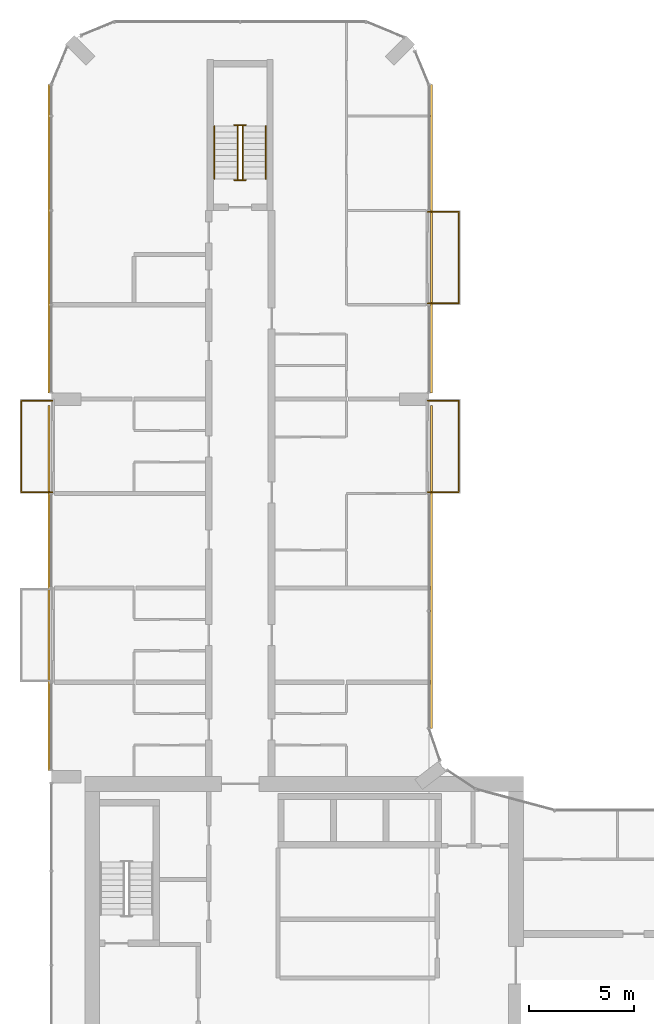
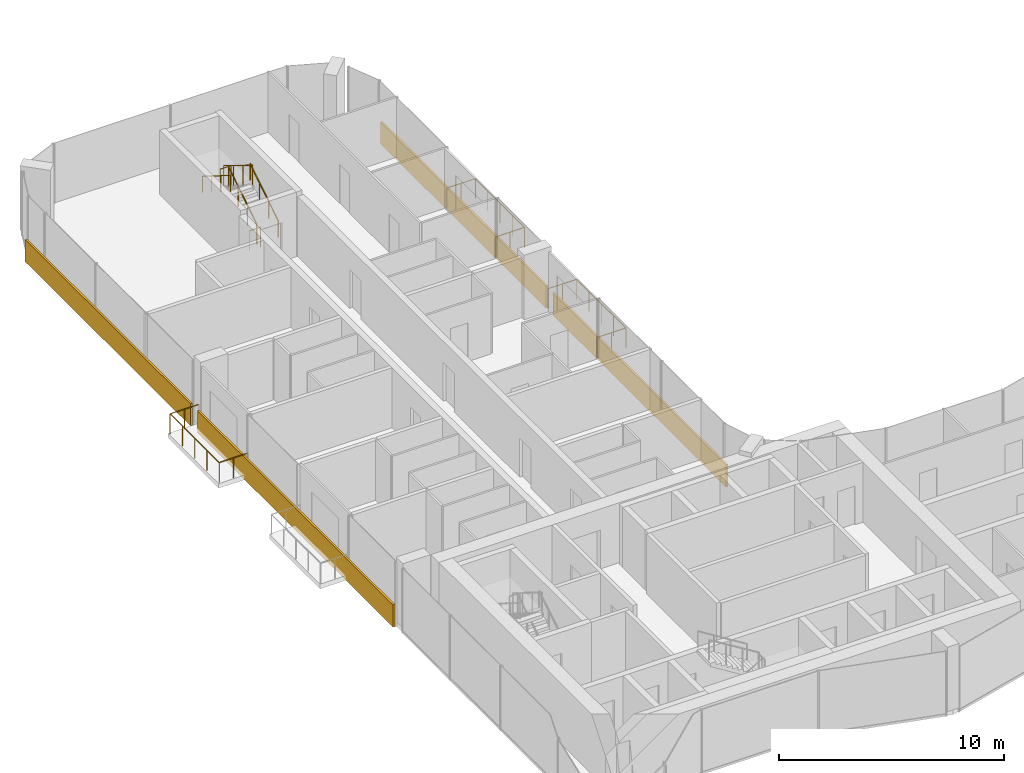
# One storey, part 22 of 23: 9 railings, 4 coverings.
"""IFC4 building model written with IfcOpenShell, lengths in metres."""

from ifc_helpers import new_model, si_unit, direction, frame, origin, origin_2d, place, context, subcontext, project, spatial, rectangle, circle, extrude, material, layer, layer_set, type_object, element, save


model = new_model("IFC4")

# Units and contexts
model_context = context("Model", 3, precision=1e-05, world=origin(), true_north=direction((0.0, 1.0)))
body_context = subcontext(model_context, "Body", "Model", "MODEL_VIEW")
ifc_project = project(units=[si_unit("LENGTHUNIT", "METRE"), si_unit("AREAUNIT", "SQUARE_METRE"), si_unit("VOLUMEUNIT", "CUBIC_METRE"), si_unit("PLANEANGLEUNIT", "RADIAN"), si_unit("MASSUNIT", "GRAM", prefix="KILO")], contexts=[model_context])

# Site, building, storey
site_placement = place(None, origin())
site = spatial("IfcSite", under=ifc_project, at=site_placement, CompositionType="ELEMENT")
building_placement = place(site_placement, origin())
building = spatial("IfcBuilding", under=site, at=building_placement, Name="Plateau Cross Towers", CompositionType="ELEMENT")
storey_placement = place(building_placement, frame((0.0, 0.0, 95.800048828125)))
storey = spatial("IfcBuildingStorey", under=building, at=storey_placement, Name="L24", CompositionType="ELEMENT", Elevation=95.800048828125)

# Railings
ifc_material_1 = material(Name="Stainless steel and toughened glass", Category="steel")
railing_type_1 = type_object("IfcRailingType", Name="Glass balustrade guard 1100", PredefinedType="GUARDRAIL", material=ifc_material_1)
railing_1_placement = place(storey_placement, frame((0.050048828125, 31.570068359375, 0.0)))
element("IfcRailing", 1, at=railing_1_placement, inside=storey, type_object=railing_type_1, Name="Guard guard1", PredefinedType="GUARDRAIL", context=body_context, shape_type="SweptSolid", body=[
    extrude(circle(Radius=0.02392578125, at=origin_2d()), frame((0.0, 0.0, 1.076171875), z_axis=(-1.0, 0.0, 0.0), x_axis=(0.0, -1.0, 0.0)), (0.0, 0.0, 1.0), 1.47998046875),
    extrude(circle(Radius=0.02392578125, at=origin_2d()), frame((-1.47998046875, 0.0, 1.076171875), z_axis=(0.0, 1.0, 0.0), x_axis=(-1.0, 0.0, 0.0)), (0.0, 0.0, 1.0), 4.35986328125),
    extrude(circle(Radius=0.02392578125, at=origin_2d()), frame((-1.47998046875, 4.35986328125, 1.076171875), z_axis=(1.0, 0.0, 0.0), x_axis=(0.0, 1.0, 0.0)), (0.0, 0.0, 1.0), 1.47998046875),
    extrude(circle(Radius=0.02099609375, at=origin_2d()), origin(), (0.0, 0.0, 1.0), 1.052001953125),
    extrude(circle(Radius=0.02099609375, at=origin_2d()), frame((-0.739990234375, 0.0, 0.0)), (0.0, 0.0, 1.0), 1.052001953125),
    extrude(circle(Radius=0.02099609375, at=origin_2d()), frame((-1.47998046875, 0.0, 0.0)), (0.0, 0.0, 1.0), 1.052001953125),
    extrude(circle(Radius=0.02099609375, at=origin_2d()), frame((-1.47998046875, 1.08984375, 0.0)), (0.0, 0.0, 1.0), 1.052001953125),
    extrude(circle(Radius=0.02099609375, at=origin_2d()), frame((-1.47998046875, 2.179931640625, 0.0)), (0.0, 0.0, 1.0), 1.052001953125),
    extrude(circle(Radius=0.02099609375, at=origin_2d()), frame((-1.47998046875, 3.27001953125, 0.0)), (0.0, 0.0, 1.0), 1.052001953125),
    extrude(circle(Radius=0.02099609375, at=origin_2d()), frame((-1.47998046875, 4.35986328125, 0.0)), (0.0, 0.0, 1.0), 1.052001953125),
    extrude(circle(Radius=0.02099609375, at=origin_2d()), frame((-0.739990234375, 4.35986328125, 0.0)), (0.0, 0.0, 1.0), 1.052001953125),
    extrude(circle(Radius=0.02099609375, at=origin_2d()), frame((0.0, 4.35986328125, 0.0)), (0.0, 0.0, 1.0), 1.052001953125),
])
for number, where, name in (
    (2, (17.949951171875, 35.929931640625, 0.0), "Guard guard1"),
    (3, (17.949951171875, 44.929931640625, 0.0), "Guard guard1"),
):
    element("IfcRailing", number, at=place(storey_placement, frame(where)), inside=storey, type_object=railing_type_1, Name=name, PredefinedType="GUARDRAIL", context=body_context, shape_type="SweptSolid", body=[
        extrude(circle(Radius=0.02392578125, at=origin_2d()), frame((0.0, 0.0, 1.076171875), z_axis=(1.0, 0.0, 0.0), x_axis=(0.0, 1.0, 0.0)), (0.0, 0.0, 1.0), 1.47998046875),
        extrude(circle(Radius=0.02392578125, at=origin_2d()), frame((1.47998046875, 0.0, 1.076171875), z_axis=(0.0, -1.0, 0.0), x_axis=(1.0, 0.0, 0.0)), (0.0, 0.0, 1.0), 4.35986328125),
        extrude(circle(Radius=0.02392578125, at=origin_2d()), frame((1.47998046875, -4.35986328125, 1.076171875), z_axis=(-1.0, 0.0, 0.0), x_axis=(0.0, -1.0, 0.0)), (0.0, 0.0, 1.0), 1.47998046875),
        extrude(circle(Radius=0.02099609375, at=origin_2d()), origin(), (0.0, 0.0, 1.0), 1.052001953125),
        extrude(circle(Radius=0.02099609375, at=origin_2d()), frame((0.739990234375, 0.0, 0.0)), (0.0, 0.0, 1.0), 1.052001953125),
        extrude(circle(Radius=0.02099609375, at=origin_2d()), frame((1.47998046875, 0.0, 0.0)), (0.0, 0.0, 1.0), 1.052001953125),
        extrude(circle(Radius=0.02099609375, at=origin_2d()), frame((1.47998046875, -1.08984375, 0.0)), (0.0, 0.0, 1.0), 1.052001953125),
        extrude(circle(Radius=0.02099609375, at=origin_2d()), frame((1.47998046875, -2.179931640625, 0.0)), (0.0, 0.0, 1.0), 1.052001953125),
        extrude(circle(Radius=0.02099609375, at=origin_2d()), frame((1.47998046875, -3.27001953125, 0.0)), (0.0, 0.0, 1.0), 1.052001953125),
        extrude(circle(Radius=0.02099609375, at=origin_2d()), frame((1.47998046875, -4.35986328125, 0.0)), (0.0, 0.0, 1.0), 1.052001953125),
        extrude(circle(Radius=0.02099609375, at=origin_2d()), frame((0.739990234375, -4.35986328125, 0.0)), (0.0, 0.0, 1.0), 1.052001953125),
        extrude(circle(Radius=0.02099609375, at=origin_2d()), frame((0.0, -4.35986328125, 0.0)), (0.0, 0.0, 1.0), 1.052001953125),
    ])
railing_type_2 = type_object("IfcRailingType", Name="RL-GUARD-1100", PredefinedType="GUARDRAIL", material=ifc_material_1)
railing_2_placement = place(storey_placement, frame((9.125, 46.5, 0.175048828125)))
element("IfcRailing", 4, at=railing_2_placement, inside=storey, type_object=railing_type_2, Name="L24 ES-N stair guard 1", PredefinedType="GUARDRAIL", context=body_context, shape_type="SweptSolid", body=[
    extrude(circle(Radius=0.02392578125, at=origin_2d()), frame((0.0, 0.0, 1.076171875), z_axis=(0.0, 0.848007534815, 0.529984170421), x_axis=(-1.0, 0.0, 0.0)), (0.0, 0.0, 1.0), 2.9716796875),
    extrude(circle(Radius=0.02099609375, at=origin_2d()), origin(), (0.0, 0.0, 1.0), 1.052001953125),
    extrude(circle(Radius=0.02099609375, at=origin_2d()), frame((0.0, 0.840087890625, 0.52490234375)), (0.0, 0.0, 1.0), 1.052001953125),
    extrude(circle(Radius=0.02099609375, at=origin_2d()), frame((0.0, 1.679931640625, 1.050048828125)), (0.0, 0.0, 1.0), 1.052001953125),
    extrude(circle(Radius=0.02099609375, at=origin_2d()), frame((0.0, 2.52001953125, 1.574951171875)), (0.0, 0.0, 1.0), 1.052001953125),
])
railing_3_placement = place(storey_placement, frame((9.27490234375, 49.070068359375, 1.75)))
element("IfcRailing", 5, at=railing_3_placement, inside=storey, type_object=railing_type_2, Name="L24 ES-N stair guard 2", PredefinedType="GUARDRAIL", context=body_context, shape_type="SweptSolid", body=[
    extrude(circle(Radius=0.02392578125, at=origin_2d()), frame((0.0, 0.0, 1.076171875), z_axis=(-1.0, 0.0, 0.0), x_axis=(0.0, -1.0, 0.0)), (0.0, 0.0, 1.0), 0.5498046875),
    extrude(circle(Radius=0.02099609375, at=origin_2d()), origin(), (0.0, 0.0, 1.0), 1.052001953125),
    extrude(circle(Radius=0.02099609375, at=origin_2d()), frame((-0.5498046875, 0.0, 0.0)), (0.0, 0.0, 1.0), 1.052001953125),
])
railing_4_placement = place(storey_placement, frame((8.875, 49.02001953125, 1.925048828125)))
element("IfcRailing", 6, at=railing_4_placement, inside=storey, type_object=railing_type_2, Name="L24 ES-N stair guard 3", PredefinedType="GUARDRAIL", context=body_context, shape_type="SweptSolid", body=[
    extrude(circle(Radius=0.02392578125, at=origin_2d()), frame((0.0, 0.0, 1.076171875), z_axis=(0.0, -0.852638500773, 0.522501279423), x_axis=(1.0, 0.0, 0.0)), (0.0, 0.0, 1.0), 3.01416015625),
    extrude(circle(Radius=0.02099609375, at=origin_2d()), origin(), (0.0, 0.0, 1.0), 1.052001953125),
    extrude(circle(Radius=0.02099609375, at=origin_2d()), frame((0.0, -0.856689453125, 0.52490234375)), (0.0, 0.0, 1.0), 1.052001953125),
    extrude(circle(Radius=0.02099609375, at=origin_2d()), frame((0.0, -1.71337890625, 1.050048828125)), (0.0, 0.0, 1.0), 1.052001953125),
    extrude(circle(Radius=0.02099609375, at=origin_2d()), frame((0.0, -2.570068359375, 1.574951171875)), (0.0, 0.0, 1.0), 1.052001953125),
])
railing_5_placement = place(storey_placement, frame((9.27490234375, 46.449951171875, 0.0)))
element("IfcRailing", 7, at=railing_5_placement, inside=storey, type_object=railing_type_2, Name="L24 ES-N stair guard 4", PredefinedType="GUARDRAIL", context=body_context, shape_type="SweptSolid", body=[
    extrude(circle(Radius=0.02392578125, at=origin_2d()), frame((0.0, 0.0, 1.076171875), z_axis=(-1.0, 0.0, 0.0), x_axis=(0.0, -1.0, 0.0)), (0.0, 0.0, 1.0), 0.5498046875),
    extrude(circle(Radius=0.02099609375, at=origin_2d()), origin(), (0.0, 0.0, 1.0), 1.052001953125),
    extrude(circle(Radius=0.02099609375, at=origin_2d()), frame((-0.5498046875, 0.0, 0.0)), (0.0, 0.0, 1.0), 1.052001953125),
])
ifc_material_2 = material(Name="Black anodised aluminium", Category="aluminium")
railing_type_3 = type_object("IfcRailingType", Name="RL-HANDRAIL-900", PredefinedType="HANDRAIL", material=ifc_material_2)
railing_6_placement = place(storey_placement, frame((10.22509765625, 46.5, 0.175048828125)))
element("IfcRailing", 8, at=railing_6_placement, inside=storey, type_object=railing_type_3, Name="L24 ES-N stair handrail 1", PredefinedType="HANDRAIL", context=body_context, shape_type="SweptSolid", body=[
    extrude(circle(Radius=0.02392578125, at=origin_2d()), frame((0.0, 0.0, 0.8759765625), z_axis=(0.0, 0.848007534815, 0.529984170421), x_axis=(-1.0, 0.0, 0.0)), (0.0, 0.0, 1.0), 2.9716796875),
    extrude(circle(Radius=0.02099609375, at=origin_2d()), origin(), (0.0, 0.0, 1.0), 0.851806640625),
    extrude(circle(Radius=0.02099609375, at=origin_2d()), frame((0.0, 0.840087890625, 0.52490234375)), (0.0, 0.0, 1.0), 0.851806640625),
    extrude(circle(Radius=0.02099609375, at=origin_2d()), frame((0.0, 1.679931640625, 1.050048828125)), (0.0, 0.0, 1.0), 0.851806640625),
    extrude(circle(Radius=0.02099609375, at=origin_2d()), frame((0.0, 2.52001953125, 1.574951171875)), (0.0, 0.0, 1.0), 0.851806640625),
])
railing_7_placement = place(storey_placement, frame((7.77490234375, 49.02001953125, 1.925048828125)))
element("IfcRailing", 9, at=railing_7_placement, inside=storey, type_object=railing_type_3, Name="L24 ES-N stair handrail 2", PredefinedType="HANDRAIL", context=body_context, shape_type="SweptSolid", body=[
    extrude(circle(Radius=0.02392578125, at=origin_2d()), frame((0.0, 0.0, 0.8759765625), z_axis=(0.0, -0.848007534815, 0.529984170421), x_axis=(1.0, 0.0, 0.0)), (0.0, 0.0, 1.0), 2.9716796875),
    extrude(circle(Radius=0.02099609375, at=origin_2d()), origin(), (0.0, 0.0, 1.0), 0.851806640625),
    extrude(circle(Radius=0.02099609375, at=origin_2d()), frame((0.0, -0.840087890625, 0.52490234375)), (0.0, 0.0, 1.0), 0.851806640625),
    extrude(circle(Radius=0.02099609375, at=origin_2d()), frame((0.0, -1.679931640625, 1.050048828125)), (0.0, 0.0, 1.0), 0.851806640625),
    extrude(circle(Radius=0.02099609375, at=origin_2d()), frame((0.0, -2.52001953125, 1.574951171875)), (0.0, 0.0, 1.0), 0.851806640625),
])

# Coverings
ifc_material_3 = material(Name="Precast concrete cladding C40/50", Category="concrete")
ifc_layer = layer(ifc_material_3, 0.10009765625)
ifc_layer_set = layer_set([ifc_layer], Name="Precast concrete cladding C40/50")
covering_type = type_object("IfcCoveringType", Name="Spandrel band cladding 100x1200", PredefinedType="CLADDING", material=ifc_layer_set)
covering_1_placement = place(storey_placement, frame((18.1201171875, 28.001220703125, -0.25), z_axis=(0.0, 0.0, 1.0), x_axis=(0.0, 1.0, 0.0)))
element("IfcCovering", 10, at=covering_1_placement, inside=storey, type_object=covering_type, Name="Spandrel band", PredefinedType="CLADDING", context=body_context, shape_type="SweptSolid", body=[
    extrude(rectangle(XDim=15.397705078125, YDim=0.10009765625, at=origin_2d()), origin(), (0.0, 0.0, 1.0), 1.199951171875),
])
for number, where, z_axis, x_axis, name in (
    (11, (18.1201171875, 43.64990234375, -0.25), (0.0, 0.0, 1.0), (0.0, 1.0, 0.0), "Spandrel band"),
    (12, (-0.1201171875, 43.64990234375, -0.25), (0.0, 0.0, 1.0), (0.0, -1.0, 0.0), "Spandrel band"),
):
    element("IfcCovering", number, at=place(storey_placement, frame(where, z_axis=z_axis, x_axis=x_axis)), inside=storey, type_object=covering_type, Name=name, PredefinedType="CLADDING", context=body_context, shape_type="SweptSolid", body=[
        extrude(rectangle(XDim=14.699951171875, YDim=0.10009765625, at=origin_2d()), origin(), (0.0, 0.0, 1.0), 1.199951171875),
    ])
covering_2_placement = place(storey_placement, frame((-0.1201171875, 27.0, -0.25), z_axis=(0.0, 0.0, 1.0), x_axis=(0.0, -1.0, 0.0)))
element("IfcCovering", 13, at=covering_2_placement, inside=storey, type_object=covering_type, Name="Spandrel band", PredefinedType="CLADDING", context=body_context, shape_type="SweptSolid", body=[
    extrude(rectangle(XDim=17.39990234375, YDim=0.10009765625, at=origin_2d()), origin(), (0.0, 0.0, 1.0), 1.199951171875),
])

save(model, "model.ifc")
